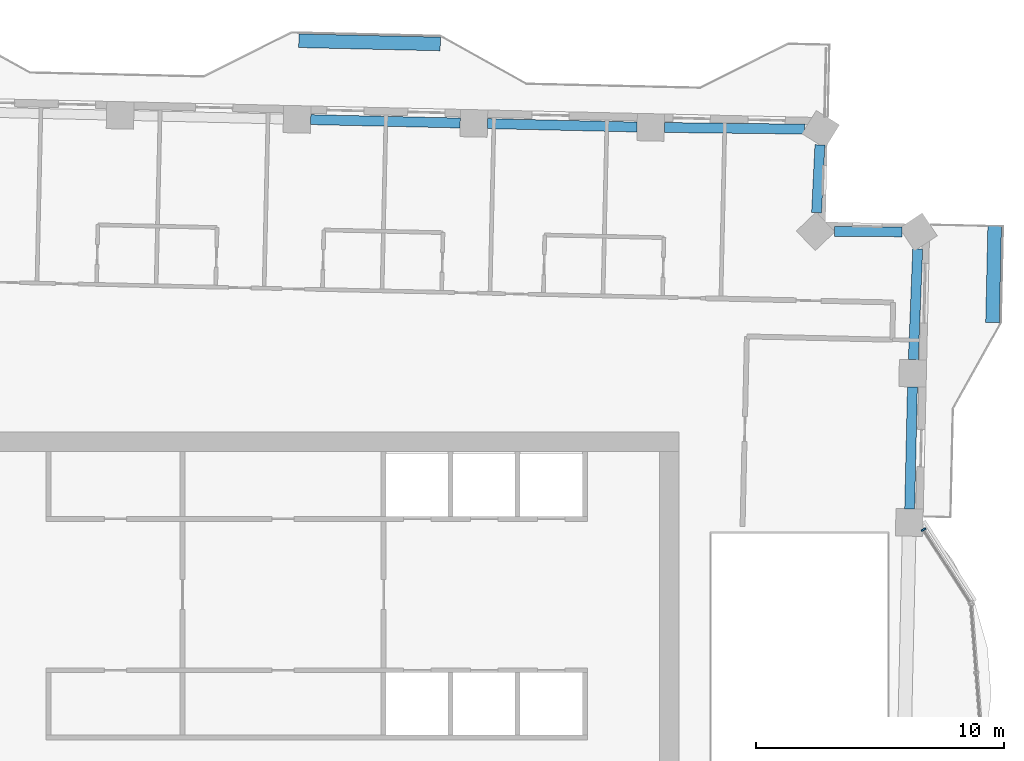
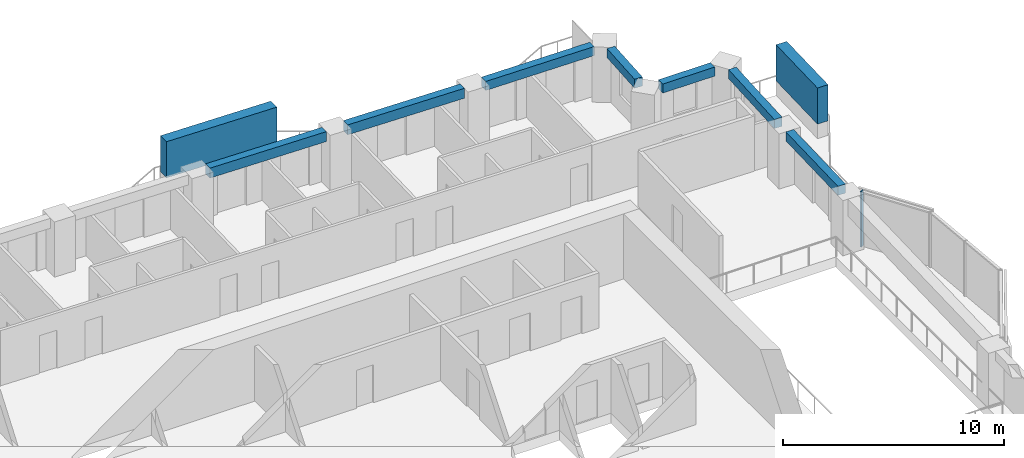
# One storey, part 4 of 16: 7 beams, 3 members, 1 element without a shape of its own.
"""IFC4 building model written with IfcOpenShell, lengths in metres."""

from ifc_helpers import new_model, si_unit, direction, frame, origin, origin_2d, place, context, subcontext, project, spatial, rectangle, extrude, material, material_profile, profile_set, type_object, element, aggregate, save


model = new_model("IFC4")

# Units and contexts
model_context = context("Model", 3, precision=1e-05, world=origin(), true_north=direction((0.0, 1.0)))
body_context = subcontext(model_context, "Body", "Model", "MODEL_VIEW")
ifc_project = project(units=[si_unit("LENGTHUNIT", "METRE"), si_unit("AREAUNIT", "SQUARE_METRE"), si_unit("VOLUMEUNIT", "CUBIC_METRE"), si_unit("PLANEANGLEUNIT", "RADIAN"), si_unit("MASSUNIT", "GRAM", prefix="KILO")], contexts=[model_context])

# Site, building, storey
site_placement = place(None, origin())
site = spatial("IfcSite", under=ifc_project, at=site_placement, CompositionType="ELEMENT")
building_placement = place(site_placement, origin())
building = spatial("IfcBuilding", under=site, at=building_placement, Name="Mangrove Gate Tower", CompositionType="ELEMENT")
storey_placement = place(building_placement, frame((0.0, 0.0, 212.300048828125)))
storey = spatial("IfcBuildingStorey", under=building, at=storey_placement, Name="L54", CompositionType="ELEMENT", Elevation=212.300048828125)

# Curtain wall, member
ifc_material_1 = material(Name="Aluminium and glass curtain wall", Category="aluminium")
curtain_wall_type = type_object("IfcCurtainWallType", Name="Atrium garden-court glazing wall", PredefinedType="NOTDEFINED", material=ifc_material_1)
curtain_wall_placement = place(storey_placement, origin())
curtain_wall = element("IfcCurtainWall", 1, at=curtain_wall_placement, inside=storey, type_object=curtain_wall_type, Name="Atrium garden-court glazing E1f3", PredefinedType="NOTDEFINED")
ifc_material_2 = material(Name="Aluminium alloy 6063-T6", Category="aluminium")
ifc_material_profile_1 = material_profile(ifc_material_2, rectangle(XDim=0.070068359375, YDim=0.199951171875, at=origin_2d()))
ifc_profile_set_1 = profile_set([ifc_material_profile_1], Name="Aluminium alloy 6063-T6")
member_type_1 = type_object("IfcMemberType", Name="Atrium garden-court glazing mullion 70x200", PredefinedType="MULLION", material=ifc_profile_set_1)
member_1_placement = place(storey_placement, frame((24.4443359375, 7.662109375, 0.0), z_axis=(0.0, 0.0, 1.0), x_axis=(-0.540523066602, 0.841329195067, 0.0)))
member_1 = element("IfcMember", 2, at=member_1_placement, type_object=member_type_1, Name="CWA mullion 2", PredefinedType="MULLION", context=body_context, shape_type="SweptSolid", body=[
    extrude(rectangle(XDim=0.070068359375, YDim=0.199951171875, at=origin_2d()), origin(), (0.0, 0.0, 1.0), 3.050048828125),
])
aggregate(curtain_wall, [member_1])

# Members
ifc_material_3 = material(Name="Planting on aluminium trellis", Category="aluminium")
ifc_material_profile_2 = material_profile(ifc_material_3, rectangle(XDim=0.550048828125, YDim=2.0, at=origin_2d()))
ifc_profile_set_2 = profile_set([ifc_material_profile_2], Name="Planting on aluminium trellis")
member_type_2 = type_object("IfcMemberType", Name="Balcony greenery screen 550x2000", PredefinedType="USERDEFINED", material=ifc_profile_set_2)
member_2_placement = place(storey_placement, frame((27.219970703125, 16.0, 1.800048828125), z_axis=(0.022599111039, 0.999744607477, 0.0), x_axis=(-0.999744607477, 0.022599111039, 0.0)))
element("IfcMember", 3, at=member_2_placement, inside=storey, type_object=member_type_2, Name="GREEN SCREEN L54 E1.1", ObjectType="PLANTING", PredefinedType="USERDEFINED", context=body_context, shape_type="SweptSolid", body=[
    extrude(rectangle(XDim=0.550048828125, YDim=2.0, at=origin_2d()), origin(), (0.0, 0.0, 1.0), 3.89990234375),
])
member_3_placement = place(storey_placement, frame((-0.716064453125, 27.35205078125, 1.800048828125), z_axis=(0.999739330573, -0.02283135795, 0.0), x_axis=(0.02283135795, 0.999739330573, 0.0)))
element("IfcMember", 4, at=member_3_placement, inside=storey, type_object=member_type_2, Name="GREEN SCREEN L54 N0.1", ObjectType="PLANTING", PredefinedType="USERDEFINED", context=body_context, shape_type="SweptSolid", body=[
    extrude(rectangle(XDim=0.550048828125, YDim=2.0, at=origin_2d()), origin(), (0.0, 0.0, 1.0), 5.699462890625),
])

# Beams
ifc_material_4 = material(Name="Concrete C50/60", Category="concrete")
ifc_material_profile_3 = material_profile(ifc_material_4, rectangle(XDim=0.39990234375, YDim=0.5, at=origin_2d()))
ifc_profile_set_3 = profile_set([ifc_material_profile_3], Name="Concrete C50/60")
beam_type_1 = type_object("IfcBeamType", Name="Edge beam RC 400x500 C50/60", PredefinedType="BEAM", material=ifc_profile_set_3)
beam_1_placement = place(storey_placement, frame((23.8837890625, 8.499267578125, 2.800048828125), z_axis=(0.022765440356, 0.999740833779, 0.0), x_axis=(-0.999740833779, 0.022765440356, 0.0)))
element("IfcBeam", 5, at=beam_1_placement, inside=storey, type_object=beam_type_1, Name="Edge beam L54 15", PredefinedType="BEAM", context=body_context, shape_type="SweptSolid", body=[
    extrude(rectangle(XDim=0.39990234375, YDim=0.5, at=origin_2d()), origin(), (0.0, 0.0, 1.0), 4.91162109375),
])
beam_2_placement = place(storey_placement, frame((24.030029296875, 14.509033203125, 2.800048828125), z_axis=(0.040042213433, 0.999197988961, 0.0), x_axis=(-0.999197988961, 0.040042213433, 0.0)))
element("IfcBeam", 6, at=beam_2_placement, inside=storey, type_object=beam_type_1, Name="Edge beam L54 16", PredefinedType="BEAM", context=body_context, shape_type="SweptSolid", body=[
    extrude(rectangle(XDim=0.39990234375, YDim=0.5, at=origin_2d()), origin(), (0.0, 0.0, 1.0), 4.46923828125),
])
beam_3_placement = place(storey_placement, frame((23.573486328125, 19.656494140625, 2.800048828125), z_axis=(-0.999988617371, 0.004771281664, 0.0), x_axis=(-0.004771281664, -0.999988617371, 0.0)))
element("IfcBeam", 7, at=beam_3_placement, inside=storey, type_object=beam_type_1, Name="Edge beam L54 17", PredefinedType="BEAM", context=body_context, shape_type="SweptSolid", body=[
    extrude(rectangle(XDim=0.39990234375, YDim=0.5, at=origin_2d()), origin(), (0.0, 0.0, 1.0), 2.7119140625),
])
beam_4_placement = place(storey_placement, frame((20.134765625, 20.429931640625, 2.800048828125), z_axis=(0.04918823776, 0.998789526009, 0.0), x_axis=(-0.998789526009, 0.04918823776, 0.0)))
element("IfcBeam", 8, at=beam_4_placement, inside=storey, type_object=beam_type_1, Name="Edge beam L54 18", PredefinedType="BEAM", context=body_context, shape_type="SweptSolid", body=[
    extrude(rectangle(XDim=0.39990234375, YDim=0.5, at=origin_2d()), origin(), (0.0, 0.0, 1.0), 2.72998046875),
])
beam_5_placement = place(storey_placement, frame((19.6572265625, 23.792236328125, 2.800048828125), z_axis=(-0.999932997046, 0.011575898195, 0.0), x_axis=(-0.011575898195, -0.999932997046, 0.0)))
element("IfcBeam", 9, at=beam_5_placement, inside=storey, type_object=beam_type_1, Name="Edge beam L54 19", PredefinedType="BEAM", context=body_context, shape_type="SweptSolid", body=[
    extrude(rectangle(XDim=0.39990234375, YDim=0.5, at=origin_2d()), origin(), (0.0, 0.0, 1.0), 5.65234375),
])
ifc_material_5 = material(Name="Concrete C50/60", Category="concrete")
ifc_material_profile_4 = material_profile(ifc_material_5, rectangle(XDim=0.39990234375, YDim=0.550048828125, at=origin_2d()))
ifc_profile_set_4 = profile_set([ifc_material_profile_4], Name="Concrete C50/60")
beam_type_2 = type_object("IfcBeamType", Name="Edge beam RC 400x550 C50/60", PredefinedType="BEAM", material=ifc_profile_set_4)
for number, where, z_axis, x_axis, name in (
    (10, (12.905517578125, 23.876708984375, 2.77490234375), (-0.999741479717, 0.022737056396, 0.0), (-0.022737056396, -0.999741479717, 0.0), "Edge beam L54 20"),
    (11, (5.78369140625, 24.03857421875, 2.77490234375), (-0.999744236189, 0.022615530214, 0.0), (-0.022615530214, -0.999744236189, 0.0), "Edge beam L54 21"),
):
    element("IfcBeam", number, at=place(storey_placement, frame(where, z_axis=z_axis, x_axis=x_axis)), inside=storey, type_object=beam_type_2, Name=name, PredefinedType="BEAM", context=body_context, shape_type="SweptSolid", body=[
        extrude(rectangle(XDim=0.39990234375, YDim=0.550048828125, at=origin_2d()), origin(), (0.0, 0.0, 1.0), 6.023681640625),
    ])

save(model, "model.ifc")
